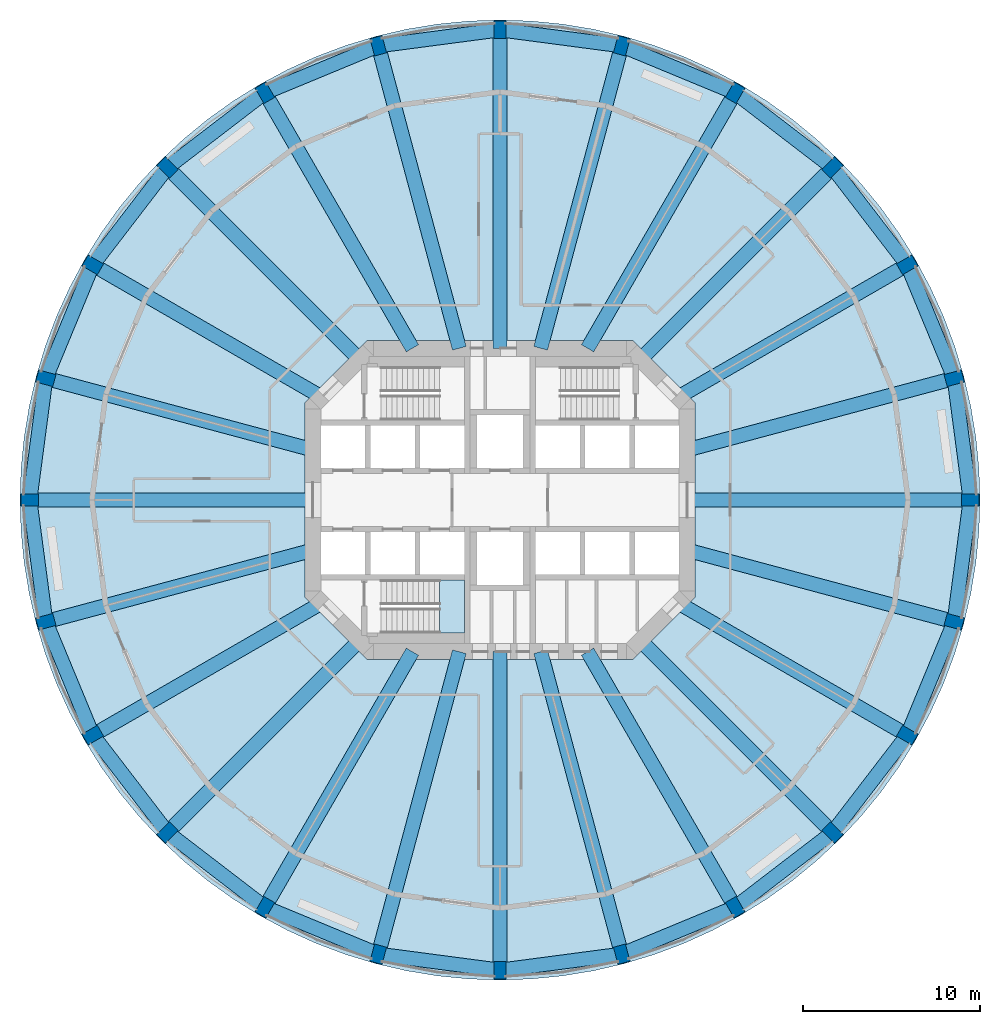
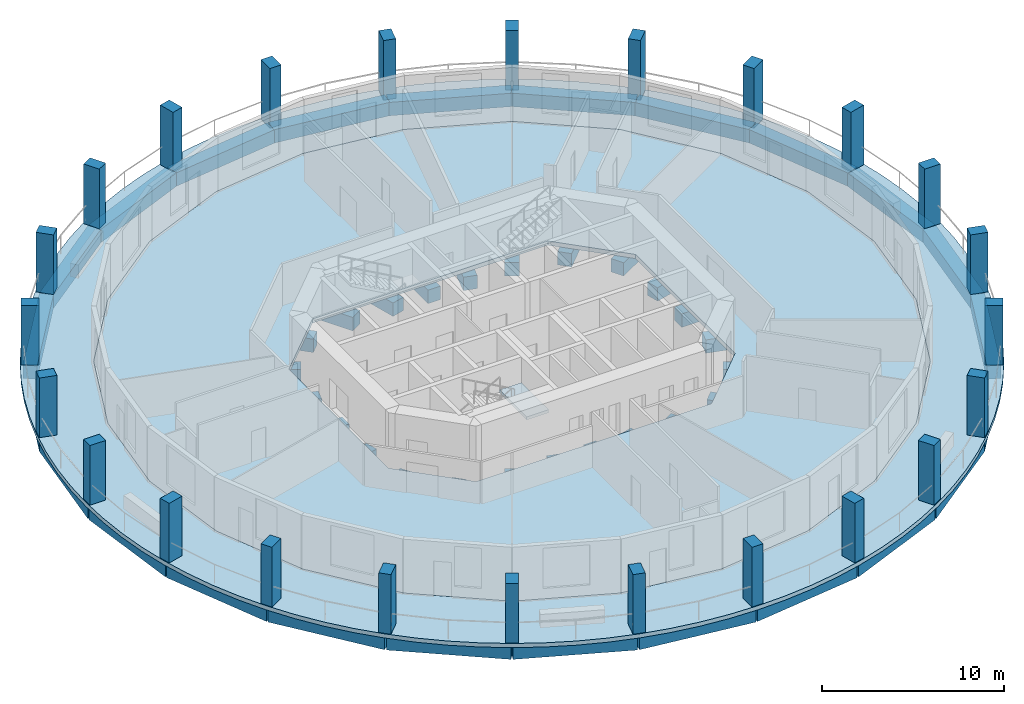
# One storey, part 1 of 9: 48 beams, 24 columns, 3 slabs, 1 element without a shape of its own.
"""IFC4 building model written with IfcOpenShell, lengths in metres."""

from ifc_helpers import new_model, si_unit, direction, frame, origin, origin_2d, place, context, subcontext, project, spatial, polyline, rectangle, outline, extrude, material, layer, layer_set, material_profile, profile_set, type_object, element, aggregate, save


model = new_model("IFC4")

# Units and contexts
model_context = context("Model", 3, precision=1e-05, world=origin(), true_north=direction((0.0, 1.0)))
body_context = subcontext(model_context, "Body", "Model", "MODEL_VIEW")
ifc_project = project(units=[si_unit("LENGTHUNIT", "METRE"), si_unit("AREAUNIT", "SQUARE_METRE"), si_unit("VOLUMEUNIT", "CUBIC_METRE"), si_unit("PLANEANGLEUNIT", "RADIAN"), si_unit("MASSUNIT", "GRAM", prefix="KILO")], contexts=[model_context])

# Site, building, storey
site_placement = place(None, origin())
site = spatial("IfcSite", under=ifc_project, at=site_placement, CompositionType="ELEMENT")
building_placement = place(site_placement, origin())
building = spatial("IfcBuilding", under=site, at=building_placement, Name="Torre Triforio", CompositionType="ELEMENT")
storey_placement = place(building_placement, frame((0.0, 0.0, 55.0)))
storey = spatial("IfcBuildingStorey", under=building, at=storey_placement, Name="L11", CompositionType="ELEMENT", Elevation=55.0)

# Columns
ifc_material_1 = material(Name="Concrete C70", Category="concrete")
ifc_material_profile_1 = material_profile(ifc_material_1, rectangle(XDim=0.699951171875, YDim=1.0, at=origin_2d()), Name="RC 700x1000")
ifc_profile_set_1 = profile_set([ifc_material_profile_1], Name="Concrete C70")
column_type = type_object("IfcColumnType", Name="Pier RC 700x1000 C70", PredefinedType="COLUMN", material=ifc_profile_set_1)
for number, where, z_axis, x_axis, name in (
    (1, (26.5, 0.0, 0.0), (0.0, 0.0, 1.0), (0.0, 1.0, 0.0), "COL.R.L11.00"),
    (2, (25.596923828125, 6.858642578125, 0.0), (0.0, 0.0, 1.0), (-0.258819045103, 0.965925826289, 0.0), "COL.R.L11.01"),
    (3, (22.94970703125, 13.25, 0.0), (0.0, 0.0, 1.0), (-0.5, 0.866025403784, 0.0), "COL.R.L11.02"),
    (4, (18.73828125, 18.73828125, 0.0), (0.0, 0.0, 1.0), (-0.707106781187, 0.707106781187, 0.0), "COL.R.L11.03"),
    (5, (13.25, 22.94970703125, 0.0), (0.0, 0.0, 1.0), (-0.866025403784, 0.5, 0.0), "COL.R.L11.04"),
    (6, (6.858642578125, 25.596923828125, 0.0), (0.0, 0.0, 1.0), (-0.965925826289, 0.258819045103, 0.0), "COL.R.L11.05"),
    (7, (0.0, 26.5, 0.0), (0.0, 0.0, 1.0), (-1.0, 0.0, 0.0), "COL.R.L11.06"),
    (8, (-6.858642578125, 25.596923828125, 0.0), (0.0, 0.0, 1.0), (-0.965925826289, -0.258819045103, 0.0), "COL.R.L11.07"),
    (9, (-13.25, 22.94970703125, 0.0), (0.0, 0.0, 1.0), (-0.866025403784, -0.5, 0.0), "COL.R.L11.08"),
    (10, (-18.73828125, 18.73828125, 0.0), (0.0, 0.0, 1.0), (-0.707106781187, -0.707106781187, 0.0), "COL.R.L11.09"),
    (11, (-22.94970703125, 13.25, 0.0), (0.0, 0.0, 1.0), (-0.5, -0.866025403784, 0.0), "COL.R.L11.10"),
    (12, (-25.596923828125, 6.858642578125, 0.0), (0.0, 0.0, 1.0), (-0.258819045103, -0.965925826289, 0.0), "COL.R.L11.11"),
    (13, (-26.5, 0.0, 0.0), (0.0, 0.0, 1.0), (0.0, -1.0, 0.0), "COL.R.L11.12"),
    (14, (-25.596923828125, -6.858642578125, 0.0), (0.0, 0.0, 1.0), (0.258819045103, -0.965925826289, 0.0), "COL.R.L11.13"),
    (15, (-22.94970703125, -13.25, 0.0), (0.0, 0.0, 1.0), (0.5, -0.866025403784, 0.0), "COL.R.L11.14"),
    (16, (-18.73828125, -18.73828125, 0.0), (0.0, 0.0, 1.0), (0.707106781187, -0.707106781187, 0.0), "COL.R.L11.15"),
    (17, (-13.25, -22.94970703125, 0.0), (0.0, 0.0, 1.0), (0.866025403784, -0.5, 0.0), "COL.R.L11.16"),
    (18, (-6.858642578125, -25.596923828125, 0.0), (0.0, 0.0, 1.0), (0.965925826289, -0.258819045103, 0.0), "COL.R.L11.17"),
    (19, (0.0, -26.5, 0.0), (0.0, 0.0, 1.0), (1.0, 0.0, 0.0), "COL.R.L11.18"),
    (20, (6.858642578125, -25.596923828125, 0.0), (0.0, 0.0, 1.0), (0.965925826289, 0.258819045103, 0.0), "COL.R.L11.19"),
    (21, (13.25, -22.94970703125, 0.0), (0.0, 0.0, 1.0), (0.866025403784, 0.5, 0.0), "COL.R.L11.20"),
    (22, (18.73828125, -18.73828125, 0.0), (0.0, 0.0, 1.0), (0.707106781187, 0.707106781187, 0.0), "COL.R.L11.21"),
    (23, (22.94970703125, -13.25, 0.0), (0.0, 0.0, 1.0), (0.5, 0.866025403784, 0.0), "COL.R.L11.22"),
    (24, (25.596923828125, -6.858642578125, 0.0), (0.0, 0.0, 1.0), (0.258819045103, 0.965925826289, 0.0), "COL.R.L11.23"),
):
    element("IfcColumn", number, at=place(storey_placement, frame(where, z_axis=z_axis, x_axis=x_axis)), inside=storey, type_object=column_type, Name=name, PredefinedType="COLUMN", context=body_context, shape_type="SweptSolid", body=[
        extrude(rectangle(XDim=0.699951171875, YDim=1.0, at=origin_2d()), origin(), (0.0, 0.0, 1.0), 4.0),
    ])

# Beams
ifc_material_2 = material(Name="Concrete C50", Category="concrete")
ifc_material_profile_2 = material_profile(ifc_material_2, rectangle(XDim=0.800048828125, YDim=0.89990234375, at=origin_2d()), Name="RC 800x900")
ifc_profile_set_2 = profile_set([ifc_material_profile_2], Name="Concrete C50")
beam_type_1 = type_object("IfcBeamType", Name="Radial beam RC 800x900 C50", PredefinedType="BEAM", material=ifc_profile_set_2)
beam_1_placement = place(storey_placement, frame((10.550048828125, 0.0, -0.72998046875), z_axis=(1.0, 0.0, 0.0), x_axis=(0.0, 1.0, 0.0)))
element("IfcBeam", 25, at=beam_1_placement, inside=storey, type_object=beam_type_1, Name="BM.R.L11.00", PredefinedType="BEAM", context=body_context, shape_type="SweptSolid", body=[
    extrude(rectangle(XDim=0.800048828125, YDim=0.89990234375, at=origin_2d()), origin(), (0.0, 0.0, 1.0), 15.949951171875),
])
beam_2_placement = place(storey_placement, frame((10.550048828125, 2.826904296875, -0.72998046875), z_axis=(0.965926784764, 0.258815467997, 0.0), x_axis=(-0.258815467997, 0.965926784764, 0.0)))
element("IfcBeam", 26, at=beam_2_placement, inside=storey, type_object=beam_type_1, Name="BM.R.L11.01", PredefinedType="BEAM", context=body_context, shape_type="SweptSolid", body=[
    extrude(rectangle(XDim=0.800048828125, YDim=0.89990234375, at=origin_2d()), origin(), (0.0, 0.0, 1.0), 15.57763671875),
])
beam_3_placement = place(storey_placement, frame((10.039794921875, 5.796630859375, -0.72998046875), z_axis=(0.866030402573, 0.499991341745, 0.0), x_axis=(-0.499991341745, 0.866030402573, 0.0)))
element("IfcBeam", 27, at=beam_3_placement, inside=storey, type_object=beam_type_1, Name="BM.R.L11.02", PredefinedType="BEAM", context=body_context, shape_type="SweptSolid", body=[
    extrude(rectangle(XDim=0.800048828125, YDim=0.89990234375, at=origin_2d()), origin(), (0.0, 0.0, 1.0), 14.906982421875),
])
beam_4_placement = place(storey_placement, frame((7.918212890625, 7.918212890625, -0.72998046875), z_axis=(0.707106781187, 0.707106781187, 0.0), x_axis=(-0.707106781187, 0.707106781187, 0.0)))
element("IfcBeam", 28, at=beam_4_placement, inside=storey, type_object=beam_type_1, Name="BM.R.L11.03", PredefinedType="BEAM", context=body_context, shape_type="SweptSolid", body=[
    extrude(rectangle(XDim=0.800048828125, YDim=0.89990234375, at=origin_2d()), origin(), (0.0, 0.0, 1.0), 15.302001953125),
])
beam_5_placement = place(storey_placement, frame((4.936279296875, 8.550048828125, -0.72998046875), z_axis=(0.500003345241, 0.8660234724, 0.0), x_axis=(-0.8660234724, 0.500003345241, 0.0)))
element("IfcBeam", 29, at=beam_5_placement, inside=storey, type_object=beam_type_1, Name="BM.R.L11.04", PredefinedType="BEAM", context=body_context, shape_type="SweptSolid", body=[
    extrude(rectangle(XDim=0.800048828125, YDim=0.89990234375, at=origin_2d()), origin(), (0.0, 0.0, 1.0), 16.62744140625),
])
beam_6_placement = place(storey_placement, frame((2.291015625, 8.550048828125, -0.72998046875), z_axis=(0.258815374176, 0.965926809903, 0.0), x_axis=(-0.965926809903, 0.258815374176, 0.0)))
element("IfcBeam", 30, at=beam_6_placement, inside=storey, type_object=beam_type_1, Name="BM.R.L11.05", PredefinedType="BEAM", context=body_context, shape_type="SweptSolid", body=[
    extrude(rectangle(XDim=0.800048828125, YDim=0.89990234375, at=origin_2d()), origin(), (0.0, 0.0, 1.0), 17.648193359375),
])
beam_7_placement = place(storey_placement, frame((0.0, 8.550048828125, -0.72998046875), z_axis=(0.0, 1.0, 0.0), x_axis=(-1.0, 0.0, 0.0)))
element("IfcBeam", 31, at=beam_7_placement, inside=storey, type_object=beam_type_1, Name="BM.R.L11.06", PredefinedType="BEAM", context=body_context, shape_type="SweptSolid", body=[
    extrude(rectangle(XDim=0.800048828125, YDim=0.89990234375, at=origin_2d()), origin(), (0.0, 0.0, 1.0), 17.949951171875),
])
beam_8_placement = place(storey_placement, frame((-2.291015625, 8.550048828125, -0.72998046875), z_axis=(-0.258815374176, 0.965926809903, 0.0), x_axis=(-0.965926809903, -0.258815374176, 0.0)))
element("IfcBeam", 32, at=beam_8_placement, inside=storey, type_object=beam_type_1, Name="BM.R.L11.07", PredefinedType="BEAM", context=body_context, shape_type="SweptSolid", body=[
    extrude(rectangle(XDim=0.800048828125, YDim=0.89990234375, at=origin_2d()), origin(), (0.0, 0.0, 1.0), 17.648193359375),
])
beam_9_placement = place(storey_placement, frame((-4.936279296875, 8.550048828125, -0.72998046875), z_axis=(-0.500003345241, 0.8660234724, 0.0), x_axis=(-0.8660234724, -0.500003345241, 0.0)))
element("IfcBeam", 33, at=beam_9_placement, inside=storey, type_object=beam_type_1, Name="BM.R.L11.08", PredefinedType="BEAM", context=body_context, shape_type="SweptSolid", body=[
    extrude(rectangle(XDim=0.800048828125, YDim=0.89990234375, at=origin_2d()), origin(), (0.0, 0.0, 1.0), 16.62744140625),
])
beam_10_placement = place(storey_placement, frame((-7.918212890625, 7.918212890625, -0.72998046875), z_axis=(-0.707106781187, 0.707106781187, 0.0), x_axis=(-0.707106781187, -0.707106781187, 0.0)))
element("IfcBeam", 34, at=beam_10_placement, inside=storey, type_object=beam_type_1, Name="BM.R.L11.09", PredefinedType="BEAM", context=body_context, shape_type="SweptSolid", body=[
    extrude(rectangle(XDim=0.800048828125, YDim=0.89990234375, at=origin_2d()), origin(), (0.0, 0.0, 1.0), 15.302001953125),
])
beam_11_placement = place(storey_placement, frame((-10.039794921875, 5.796630859375, -0.72998046875), z_axis=(-0.866030402573, 0.499991341745, 0.0), x_axis=(-0.499991341745, -0.866030402573, 0.0)))
element("IfcBeam", 35, at=beam_11_placement, inside=storey, type_object=beam_type_1, Name="BM.R.L11.10", PredefinedType="BEAM", context=body_context, shape_type="SweptSolid", body=[
    extrude(rectangle(XDim=0.800048828125, YDim=0.89990234375, at=origin_2d()), origin(), (0.0, 0.0, 1.0), 14.906982421875),
])
beam_12_placement = place(storey_placement, frame((-10.550048828125, 2.826904296875, -0.72998046875), z_axis=(-0.965926784764, 0.258815467997, 0.0), x_axis=(-0.258815467997, -0.965926784764, 0.0)))
element("IfcBeam", 36, at=beam_12_placement, inside=storey, type_object=beam_type_1, Name="BM.R.L11.11", PredefinedType="BEAM", context=body_context, shape_type="SweptSolid", body=[
    extrude(rectangle(XDim=0.800048828125, YDim=0.89990234375, at=origin_2d()), origin(), (0.0, 0.0, 1.0), 15.57763671875),
])
beam_13_placement = place(storey_placement, frame((-10.550048828125, 0.0, -0.72998046875), z_axis=(-1.0, 0.0, 0.0), x_axis=(0.0, -1.0, 0.0)))
element("IfcBeam", 37, at=beam_13_placement, inside=storey, type_object=beam_type_1, Name="BM.R.L11.12", PredefinedType="BEAM", context=body_context, shape_type="SweptSolid", body=[
    extrude(rectangle(XDim=0.800048828125, YDim=0.89990234375, at=origin_2d()), origin(), (0.0, 0.0, 1.0), 15.949951171875),
])
beam_14_placement = place(storey_placement, frame((-10.550048828125, -2.826904296875, -0.72998046875), z_axis=(-0.965926784764, -0.258815467997, 0.0), x_axis=(0.258815467997, -0.965926784764, 0.0)))
element("IfcBeam", 38, at=beam_14_placement, inside=storey, type_object=beam_type_1, Name="BM.R.L11.13", PredefinedType="BEAM", context=body_context, shape_type="SweptSolid", body=[
    extrude(rectangle(XDim=0.800048828125, YDim=0.89990234375, at=origin_2d()), origin(), (0.0, 0.0, 1.0), 15.57763671875),
])
beam_15_placement = place(storey_placement, frame((-10.039794921875, -5.796630859375, -0.72998046875), z_axis=(-0.866030402573, -0.499991341745, 0.0), x_axis=(0.499991341745, -0.866030402573, 0.0)))
element("IfcBeam", 39, at=beam_15_placement, inside=storey, type_object=beam_type_1, Name="BM.R.L11.14", PredefinedType="BEAM", context=body_context, shape_type="SweptSolid", body=[
    extrude(rectangle(XDim=0.800048828125, YDim=0.89990234375, at=origin_2d()), origin(), (0.0, 0.0, 1.0), 14.906982421875),
])
beam_16_placement = place(storey_placement, frame((-7.918212890625, -7.918212890625, -0.72998046875), z_axis=(-0.707106781187, -0.707106781187, 0.0), x_axis=(0.707106781187, -0.707106781187, 0.0)))
element("IfcBeam", 40, at=beam_16_placement, inside=storey, type_object=beam_type_1, Name="BM.R.L11.15", PredefinedType="BEAM", context=body_context, shape_type="SweptSolid", body=[
    extrude(rectangle(XDim=0.800048828125, YDim=0.89990234375, at=origin_2d()), origin(), (0.0, 0.0, 1.0), 15.302001953125),
])
beam_17_placement = place(storey_placement, frame((-4.936279296875, -8.550048828125, -0.72998046875), z_axis=(-0.500003345241, -0.8660234724, 0.0), x_axis=(0.8660234724, -0.500003345241, 0.0)))
element("IfcBeam", 41, at=beam_17_placement, inside=storey, type_object=beam_type_1, Name="BM.R.L11.16", PredefinedType="BEAM", context=body_context, shape_type="SweptSolid", body=[
    extrude(rectangle(XDim=0.800048828125, YDim=0.89990234375, at=origin_2d()), origin(), (0.0, 0.0, 1.0), 16.62744140625),
])
beam_18_placement = place(storey_placement, frame((-2.291015625, -8.550048828125, -0.72998046875), z_axis=(-0.258815374176, -0.965926809903, 0.0), x_axis=(0.965926809903, -0.258815374176, 0.0)))
element("IfcBeam", 42, at=beam_18_placement, inside=storey, type_object=beam_type_1, Name="BM.R.L11.17", PredefinedType="BEAM", context=body_context, shape_type="SweptSolid", body=[
    extrude(rectangle(XDim=0.800048828125, YDim=0.89990234375, at=origin_2d()), origin(), (0.0, 0.0, 1.0), 17.648193359375),
])
beam_19_placement = place(storey_placement, frame((0.0, -8.550048828125, -0.72998046875), z_axis=(0.0, -1.0, 0.0), x_axis=(1.0, 0.0, 0.0)))
element("IfcBeam", 43, at=beam_19_placement, inside=storey, type_object=beam_type_1, Name="BM.R.L11.18", PredefinedType="BEAM", context=body_context, shape_type="SweptSolid", body=[
    extrude(rectangle(XDim=0.800048828125, YDim=0.89990234375, at=origin_2d()), origin(), (0.0, 0.0, 1.0), 17.949951171875),
])
beam_20_placement = place(storey_placement, frame((2.291015625, -8.550048828125, -0.72998046875), z_axis=(0.258815374176, -0.965926809903, 0.0), x_axis=(0.965926809903, 0.258815374176, 0.0)))
element("IfcBeam", 44, at=beam_20_placement, inside=storey, type_object=beam_type_1, Name="BM.R.L11.19", PredefinedType="BEAM", context=body_context, shape_type="SweptSolid", body=[
    extrude(rectangle(XDim=0.800048828125, YDim=0.89990234375, at=origin_2d()), origin(), (0.0, 0.0, 1.0), 17.648193359375),
])
beam_21_placement = place(storey_placement, frame((4.936279296875, -8.550048828125, -0.72998046875), z_axis=(0.500003345241, -0.8660234724, 0.0), x_axis=(0.8660234724, 0.500003345241, 0.0)))
element("IfcBeam", 45, at=beam_21_placement, inside=storey, type_object=beam_type_1, Name="BM.R.L11.20", PredefinedType="BEAM", context=body_context, shape_type="SweptSolid", body=[
    extrude(rectangle(XDim=0.800048828125, YDim=0.89990234375, at=origin_2d()), origin(), (0.0, 0.0, 1.0), 16.62744140625),
])
beam_22_placement = place(storey_placement, frame((7.918212890625, -7.918212890625, -0.72998046875), z_axis=(0.707106781187, -0.707106781187, 0.0), x_axis=(0.707106781187, 0.707106781187, 0.0)))
element("IfcBeam", 46, at=beam_22_placement, inside=storey, type_object=beam_type_1, Name="BM.R.L11.21", PredefinedType="BEAM", context=body_context, shape_type="SweptSolid", body=[
    extrude(rectangle(XDim=0.800048828125, YDim=0.89990234375, at=origin_2d()), origin(), (0.0, 0.0, 1.0), 15.302001953125),
])
beam_23_placement = place(storey_placement, frame((10.039794921875, -5.796630859375, -0.72998046875), z_axis=(0.866030402573, -0.499991341745, 0.0), x_axis=(0.499991341745, 0.866030402573, 0.0)))
element("IfcBeam", 47, at=beam_23_placement, inside=storey, type_object=beam_type_1, Name="BM.R.L11.22", PredefinedType="BEAM", context=body_context, shape_type="SweptSolid", body=[
    extrude(rectangle(XDim=0.800048828125, YDim=0.89990234375, at=origin_2d()), origin(), (0.0, 0.0, 1.0), 14.906982421875),
])
beam_24_placement = place(storey_placement, frame((10.550048828125, -2.826904296875, -0.72998046875), z_axis=(0.965926784764, -0.258815467997, 0.0), x_axis=(0.258815467997, 0.965926784764, 0.0)))
element("IfcBeam", 48, at=beam_24_placement, inside=storey, type_object=beam_type_1, Name="BM.R.L11.23", PredefinedType="BEAM", context=body_context, shape_type="SweptSolid", body=[
    extrude(rectangle(XDim=0.800048828125, YDim=0.89990234375, at=origin_2d()), origin(), (0.0, 0.0, 1.0), 15.57763671875),
])
ifc_material_profile_3 = material_profile(ifc_material_2, rectangle(XDim=0.800048828125, YDim=0.89990234375, at=origin_2d()), Name="RC 800x900")
ifc_profile_set_3 = profile_set([ifc_material_profile_3], Name="Concrete C50")
beam_type_2 = type_object("IfcBeamType", Name="Spandrel beam RC 800x900 C50", PredefinedType="SPANDREL", material=ifc_profile_set_3)
beam_25_placement = place(storey_placement, frame((26.5, 0.0, -0.72998046875), z_axis=(-0.130543064996, 0.991442639885, 0.0), x_axis=(-0.991442639885, -0.130543064996, 0.0)))
element("IfcBeam", 49, at=beam_25_placement, inside=storey, type_object=beam_type_2, Name="BM.S.L11.00", PredefinedType="SPANDREL", context=body_context, shape_type="SweptSolid", body=[
    extrude(rectangle(XDim=0.800048828125, YDim=0.89990234375, at=origin_2d()), origin(), (0.0, 0.0, 1.0), 6.917724609375),
])
for number, where, z_axis, x_axis, name in (
    (50, (25.596923828125, 6.858642578125, -0.72998046875), (-0.382662441128, 0.923888227087, 0.0), (-0.923888227087, -0.382662441128, 0.0), "BM.S.L11.01"),
    (51, (22.94970703125, 13.25, -0.72998046875), (-0.608772297796, 0.793345000259, 0.0), (-0.793345000259, -0.608772297796, 0.0), "BM.S.L11.02"),
    (52, (18.73828125, 18.73828125, -0.72998046875), (-0.793345000259, 0.608772297796, 0.0), (-0.608772297796, -0.793345000259, 0.0), "BM.S.L11.03"),
    (53, (13.25, 22.94970703125, -0.72998046875), (-0.923888227087, 0.382662441128, 0.0), (-0.382662441128, -0.923888227087, 0.0), "BM.S.L11.04"),
):
    element("IfcBeam", number, at=place(storey_placement, frame(where, z_axis=z_axis, x_axis=x_axis)), inside=storey, type_object=beam_type_2, Name=name, PredefinedType="SPANDREL", context=body_context, shape_type="SweptSolid", body=[
        extrude(rectangle(XDim=0.800048828125, YDim=0.89990234375, at=origin_2d()), origin(), (0.0, 0.0, 1.0), 6.91796875),
    ])
for number, where, z_axis, x_axis, name in (
    (54, (6.858642578125, 25.596923828125, -0.72998046875), (-0.991442639885, 0.130543064996, 0.0), (-0.130543064996, -0.991442639885, 0.0), "BM.S.L11.05"),
    (55, (0.0, 26.5, -0.72998046875), (-0.991442639885, -0.130543064996, 0.0), (0.130543064996, -0.991442639885, 0.0), "BM.S.L11.06"),
):
    element("IfcBeam", number, at=place(storey_placement, frame(where, z_axis=z_axis, x_axis=x_axis)), inside=storey, type_object=beam_type_2, Name=name, PredefinedType="SPANDREL", context=body_context, shape_type="SweptSolid", body=[
        extrude(rectangle(XDim=0.800048828125, YDim=0.89990234375, at=origin_2d()), origin(), (0.0, 0.0, 1.0), 6.917724609375),
    ])
for number, where, z_axis, x_axis, name in (
    (56, (-6.858642578125, 25.596923828125, -0.72998046875), (-0.923888227087, -0.382662441128, 0.0), (0.382662441128, -0.923888227087, 0.0), "BM.S.L11.07"),
    (57, (-13.25, 22.94970703125, -0.72998046875), (-0.793345000259, -0.608772297796, 0.0), (0.608772297796, -0.793345000259, 0.0), "BM.S.L11.08"),
    (58, (-18.73828125, 18.73828125, -0.72998046875), (-0.608772297796, -0.793345000259, 0.0), (0.793345000259, -0.608772297796, 0.0), "BM.S.L11.09"),
    (59, (-22.94970703125, 13.25, -0.72998046875), (-0.382662441128, -0.923888227087, 0.0), (0.923888227087, -0.382662441128, 0.0), "BM.S.L11.10"),
):
    element("IfcBeam", number, at=place(storey_placement, frame(where, z_axis=z_axis, x_axis=x_axis)), inside=storey, type_object=beam_type_2, Name=name, PredefinedType="SPANDREL", context=body_context, shape_type="SweptSolid", body=[
        extrude(rectangle(XDim=0.800048828125, YDim=0.89990234375, at=origin_2d()), origin(), (0.0, 0.0, 1.0), 6.91796875),
    ])
for number, where, z_axis, x_axis, name in (
    (60, (-25.596923828125, 6.858642578125, -0.72998046875), (-0.130543064996, -0.991442639885, 0.0), (0.991442639885, -0.130543064996, 0.0), "BM.S.L11.11"),
    (61, (-26.5, 0.0, -0.72998046875), (0.130543064996, -0.991442639885, 0.0), (0.991442639885, 0.130543064996, 0.0), "BM.S.L11.12"),
):
    element("IfcBeam", number, at=place(storey_placement, frame(where, z_axis=z_axis, x_axis=x_axis)), inside=storey, type_object=beam_type_2, Name=name, PredefinedType="SPANDREL", context=body_context, shape_type="SweptSolid", body=[
        extrude(rectangle(XDim=0.800048828125, YDim=0.89990234375, at=origin_2d()), origin(), (0.0, 0.0, 1.0), 6.917724609375),
    ])
for number, where, z_axis, x_axis, name in (
    (62, (-25.596923828125, -6.858642578125, -0.72998046875), (0.382662441128, -0.923888227087, 0.0), (0.923888227087, 0.382662441128, 0.0), "BM.S.L11.13"),
    (63, (-22.94970703125, -13.25, -0.72998046875), (0.608772297796, -0.793345000259, 0.0), (0.793345000259, 0.608772297796, 0.0), "BM.S.L11.14"),
    (64, (-18.73828125, -18.73828125, -0.72998046875), (0.793345000259, -0.608772297796, 0.0), (0.608772297796, 0.793345000259, 0.0), "BM.S.L11.15"),
    (65, (-13.25, -22.94970703125, -0.72998046875), (0.923888227087, -0.382662441128, 0.0), (0.382662441128, 0.923888227087, 0.0), "BM.S.L11.16"),
):
    element("IfcBeam", number, at=place(storey_placement, frame(where, z_axis=z_axis, x_axis=x_axis)), inside=storey, type_object=beam_type_2, Name=name, PredefinedType="SPANDREL", context=body_context, shape_type="SweptSolid", body=[
        extrude(rectangle(XDim=0.800048828125, YDim=0.89990234375, at=origin_2d()), origin(), (0.0, 0.0, 1.0), 6.91796875),
    ])
for number, where, z_axis, x_axis, name in (
    (66, (-6.858642578125, -25.596923828125, -0.72998046875), (0.991442639885, -0.130543064996, 0.0), (0.130543064996, 0.991442639885, 0.0), "BM.S.L11.17"),
    (67, (0.0, -26.5, -0.72998046875), (0.991442639885, 0.130543064996, 0.0), (-0.130543064996, 0.991442639885, 0.0), "BM.S.L11.18"),
):
    element("IfcBeam", number, at=place(storey_placement, frame(where, z_axis=z_axis, x_axis=x_axis)), inside=storey, type_object=beam_type_2, Name=name, PredefinedType="SPANDREL", context=body_context, shape_type="SweptSolid", body=[
        extrude(rectangle(XDim=0.800048828125, YDim=0.89990234375, at=origin_2d()), origin(), (0.0, 0.0, 1.0), 6.917724609375),
    ])
for number, where, z_axis, x_axis, name in (
    (68, (6.858642578125, -25.596923828125, -0.72998046875), (0.923888227087, 0.382662441128, 0.0), (-0.382662441128, 0.923888227087, 0.0), "BM.S.L11.19"),
    (69, (13.25, -22.94970703125, -0.72998046875), (0.793345000259, 0.608772297796, 0.0), (-0.608772297796, 0.793345000259, 0.0), "BM.S.L11.20"),
    (70, (18.73828125, -18.73828125, -0.72998046875), (0.608772297796, 0.793345000259, 0.0), (-0.793345000259, 0.608772297796, 0.0), "BM.S.L11.21"),
    (71, (22.94970703125, -13.25, -0.72998046875), (0.382662441128, 0.923888227087, 0.0), (-0.923888227087, 0.382662441128, 0.0), "BM.S.L11.22"),
):
    element("IfcBeam", number, at=place(storey_placement, frame(where, z_axis=z_axis, x_axis=x_axis)), inside=storey, type_object=beam_type_2, Name=name, PredefinedType="SPANDREL", context=body_context, shape_type="SweptSolid", body=[
        extrude(rectangle(XDim=0.800048828125, YDim=0.89990234375, at=origin_2d()), origin(), (0.0, 0.0, 1.0), 6.91796875),
    ])
beam_26_placement = place(storey_placement, frame((25.596923828125, -6.858642578125, -0.72998046875), z_axis=(0.130543064996, 0.991442639885, 0.0), x_axis=(-0.991442639885, 0.130543064996, 0.0)))
element("IfcBeam", 72, at=beam_26_placement, inside=storey, type_object=beam_type_2, Name="BM.S.L11.23", PredefinedType="SPANDREL", context=body_context, shape_type="SweptSolid", body=[
    extrude(rectangle(XDim=0.800048828125, YDim=0.89990234375, at=origin_2d()), origin(), (0.0, 0.0, 1.0), 6.917724609375),
])

# Slabs
ifc_layer_1 = layer(ifc_material_2, 0.280029296875)
ifc_layer_set_1 = layer_set([ifc_layer_1], Name="Concrete C50")
slab_type_1 = type_object("IfcSlabType", Name="Floor slab 280 C50", PredefinedType="FLOOR", material=ifc_layer_set_1)
slab_1_placement = place(storey_placement, frame((0.0, 0.0, -0.280029296875)))
element("IfcSlab", 73, at=slab_1_placement, inside=storey, type_object=slab_type_1, Name="SL.L11", PredefinedType="FLOOR", context=body_context, shape_type="SweptSolid", body=[
    extrude(outline(polyline([(19.918701171875, -11.5), (22.21630859375, -5.952880859375), (23.0, 0.0), (22.21630859375, 5.952880859375), (19.918701171875, 11.5), (16.263427734375, 16.263427734375), (11.5, 19.918701171875), (5.952880859375, 22.21630859375), (0.0, 23.0), (-5.952880859375, 22.21630859375), (-11.5, 19.918701171875), (-16.263427734375, 16.263427734375), (-19.918701171875, 11.5), (-22.21630859375, 5.952880859375), (-23.0, 0.0), (-22.21630859375, -5.952880859375), (-19.918701171875, -11.5), (-16.263427734375, -16.263427734375), (-11.5, -19.918701171875), (-5.952880859375, -22.21630859375), (0.0, -23.0), (5.952880859375, -22.21630859375), (11.5, -19.918701171875), (16.263427734375, -16.263427734375), (19.918701171875, -11.5)]), holes=[polyline([(11.0, 5.472900390625), (11.0, -5.472900390625), (7.472900390625, -9.0), (-7.472900390625, -9.0), (-11.0, -5.472900390625), (-11.0, 5.472900390625), (-7.472900390625, 9.0), (7.472900390625, 9.0), (11.0, 5.472900390625)])]), origin(), (0.0, 0.0, 1.0), 0.280029296875),
])
ifc_layer_2 = layer(ifc_material_2, 0.280029296875)
ifc_layer_set_2 = layer_set([ifc_layer_2], Name="Concrete C50")
slab_type_2 = type_object("IfcSlabType", Name="Loggia slab 280 C50", PredefinedType="FLOOR", material=ifc_layer_set_2)
slab_2_placement = place(storey_placement, frame((0.0, 0.0, -0.280029296875)))
element("IfcSlab", 74, at=slab_2_placement, inside=storey, type_object=slab_type_2, Name="SL.L11.LG", PredefinedType="FLOOR", context=body_context, shape_type="SweptSolid", body=[
    extrude(outline(polyline([(26.9921875, -1.76904296875), (27.050048828125, 0.0), (26.9921875, 1.76904296875), (26.818603515625, 3.53076171875), (26.5302734375, 5.277099609375), (26.128173828125, 7.0009765625), (25.614501953125, 8.69482421875), (24.990966796875, 10.3515625), (24.260498046875, 11.9638671875), (23.426025390625, 13.52490234375), (22.4912109375, 15.028076171875), (21.460205078125, 16.467041015625), (20.337158203125, 17.835205078125), (19.127197265625, 19.127197265625), (17.835205078125, 20.337158203125), (16.467041015625, 21.460205078125), (15.028076171875, 22.4912109375), (13.52490234375, 23.426025390625), (11.9638671875, 24.260498046875), (10.3515625, 24.990966796875), (8.69482421875, 25.614501953125), (7.0009765625, 26.128173828125), (5.277099609375, 26.5302734375), (3.53076171875, 26.818603515625), (1.76904296875, 26.9921875), (0.0, 27.050048828125), (-1.76904296875, 26.9921875), (-3.53076171875, 26.818603515625), (-5.277099609375, 26.5302734375), (-7.0009765625, 26.128173828125), (-8.69482421875, 25.614501953125), (-10.3515625, 24.990966796875), (-11.9638671875, 24.260498046875), (-13.52490234375, 23.426025390625), (-15.028076171875, 22.4912109375), (-16.467041015625, 21.460205078125), (-17.835205078125, 20.337158203125), (-19.127197265625, 19.127197265625), (-20.337158203125, 17.835205078125), (-21.460205078125, 16.467041015625), (-22.4912109375, 15.028076171875), (-23.426025390625, 13.52490234375), (-24.260498046875, 11.9638671875), (-24.990966796875, 10.3515625), (-25.614501953125, 8.69482421875), (-26.128173828125, 7.0009765625), (-26.5302734375, 5.277099609375), (-26.818603515625, 3.53076171875), (-26.9921875, 1.76904296875), (-27.050048828125, 0.0), (-26.9921875, -1.76904296875), (-26.818603515625, -3.53076171875), (-26.5302734375, -5.277099609375), (-26.128173828125, -7.0009765625), (-25.614501953125, -8.69482421875), (-24.990966796875, -10.3515625), (-24.260498046875, -11.9638671875), (-23.426025390625, -13.52490234375), (-22.4912109375, -15.028076171875), (-21.460205078125, -16.467041015625), (-20.337158203125, -17.835205078125), (-19.127197265625, -19.127197265625), (-17.835205078125, -20.337158203125), (-16.467041015625, -21.460205078125), (-15.028076171875, -22.4912109375), (-13.52490234375, -23.426025390625), (-11.9638671875, -24.260498046875), (-10.3515625, -24.990966796875), (-8.69482421875, -25.614501953125), (-7.0009765625, -26.128173828125), (-5.277099609375, -26.5302734375), (-3.53076171875, -26.818603515625), (-1.76904296875, -26.9921875), (0.0, -27.050048828125), (1.76904296875, -26.9921875), (3.53076171875, -26.818603515625), (5.277099609375, -26.5302734375), (7.0009765625, -26.128173828125), (8.69482421875, -25.614501953125), (10.3515625, -24.990966796875), (11.9638671875, -24.260498046875), (13.52490234375, -23.426025390625), (15.028076171875, -22.4912109375), (16.467041015625, -21.460205078125), (17.835205078125, -20.337158203125), (19.127197265625, -19.127197265625), (20.337158203125, -17.835205078125), (21.460205078125, -16.467041015625), (22.4912109375, -15.028076171875), (23.426025390625, -13.52490234375), (24.260498046875, -11.9638671875), (24.990966796875, -10.3515625), (25.614501953125, -8.69482421875), (26.128173828125, -7.0009765625), (26.5302734375, -5.277099609375), (26.818603515625, -3.53076171875), (26.9921875, -1.76904296875)]), holes=[polyline([(22.21630859375, 5.952880859375), (23.0, 0.0), (22.21630859375, -5.952880859375), (19.918701171875, -11.5), (16.263427734375, -16.263427734375), (11.5, -19.918701171875), (5.952880859375, -22.21630859375), (0.0, -23.0), (-5.952880859375, -22.21630859375), (-11.5, -19.918701171875), (-16.263427734375, -16.263427734375), (-19.918701171875, -11.5), (-22.21630859375, -5.952880859375), (-23.0, 0.0), (-22.21630859375, 5.952880859375), (-19.918701171875, 11.5), (-16.263427734375, 16.263427734375), (-11.5, 19.918701171875), (-5.952880859375, 22.21630859375), (0.0, 23.0), (5.952880859375, 22.21630859375), (11.5, 19.918701171875), (16.263427734375, 16.263427734375), (19.918701171875, 11.5), (22.21630859375, 5.952880859375)])]), origin(), (0.0, 0.0, 1.0), 0.280029296875),
])

# Stair, slab
ifc_material_3 = material(Name="Concrete C40", Category="concrete")
stair_type = type_object("IfcStairType", Name="STAIR HALF-TURN", PredefinedType="HALF_TURN_STAIR", material=ifc_material_3)
stair_placement = place(storey_placement, origin())
stair = element("IfcStair", 75, at=stair_placement, inside=storey, type_object=stair_type, Name="Exit stair 3", PredefinedType="HALF_TURN_STAIR")
ifc_layer_3 = layer(ifc_material_3, 0.199951171875)
ifc_layer_set_3 = layer_set([ifc_layer_3], Name="Concrete C40")
slab_type_3 = type_object("IfcSlabType", Name="STAIR LANDING 200", PredefinedType="LANDING", material=ifc_layer_set_3)
slab_3_placement = place(storey_placement, frame((0.0, 0.0, 1.800048828125)))
slab_3 = element("IfcSlab", 76, at=slab_3_placement, type_object=slab_type_3, Name="ST3 landing 1", PredefinedType="LANDING", context=body_context, shape_type="SweptSolid", body=[
    extrude(outline(polyline([(-2.0, -7.5), (-2.0, -4.5), (-3.39990234375, -4.5), (-3.39990234375, -7.5), (-2.0, -7.5)])), origin(), (0.0, 0.0, 1.0), 0.199951171875),
])
aggregate(stair, [slab_3])

save(model, "model.ifc")
